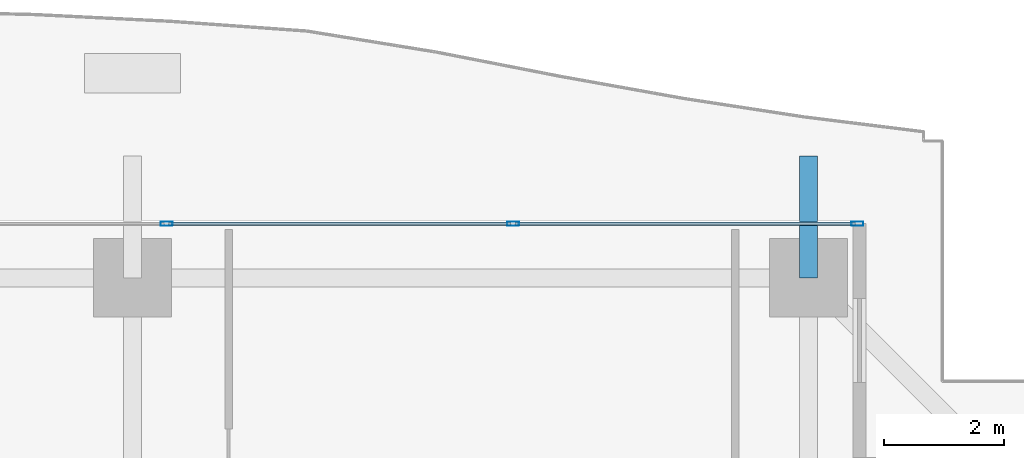
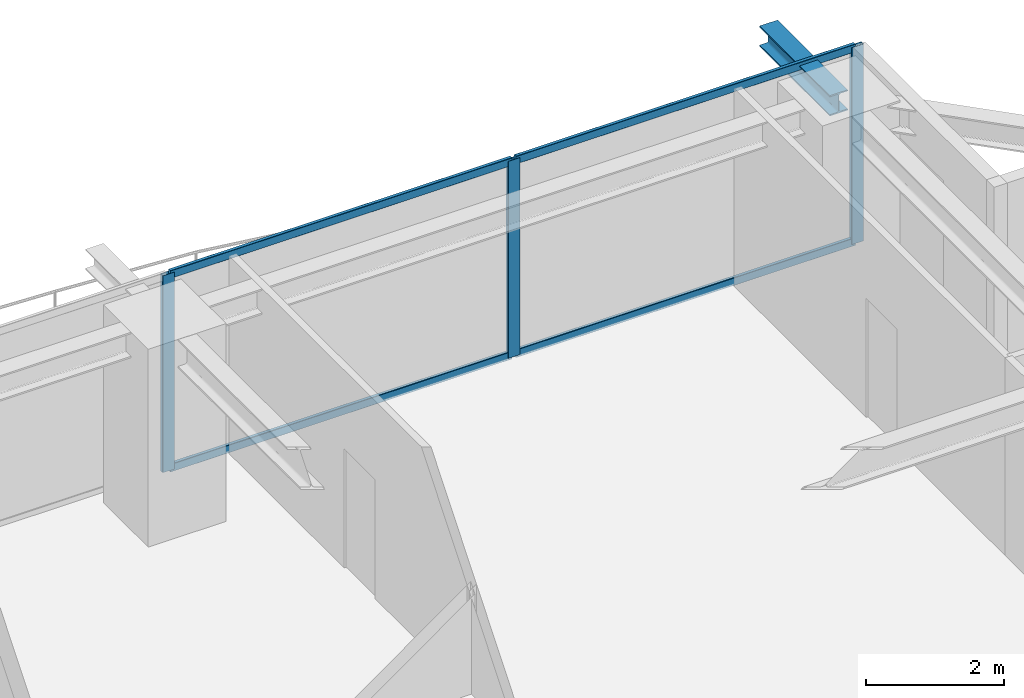
# One storey, part 24 of 37: 7 members, 1 beam, 1 element without a shape of its own.
"""IFC4 building model written with IfcOpenShell, lengths in metres."""

from ifc_helpers import new_model, si_unit, direction, frame, origin, origin_2d, place, context, subcontext, project, spatial, hollow_rectangle, i_section, extrude, source, transform, mapped, material, layer, layer_set, material_profile, profile_set, type_object, element, aggregate, save


model = new_model("IFC4")

# Units and contexts
model_context = context("Model", 3, precision=1e-05, world=origin(), true_north=direction((0.0, 1.0)))
body_context = subcontext(model_context, "Body", "Model", "MODEL_VIEW")
ifc_project = project(units=[si_unit("LENGTHUNIT", "METRE"), si_unit("AREAUNIT", "SQUARE_METRE"), si_unit("VOLUMEUNIT", "CUBIC_METRE"), si_unit("PLANEANGLEUNIT", "RADIAN"), si_unit("MASSUNIT", "GRAM", prefix="KILO")], contexts=[model_context])

# Site, building, storey
site_placement = place(None, origin())
site = spatial("IfcSite", under=ifc_project, at=site_placement, CompositionType="ELEMENT")
building_placement = place(site_placement, origin())
building = spatial("IfcBuilding", under=site, at=building_placement, Name="Serunith Strait Residences", CompositionType="ELEMENT")
storey_placement = place(building_placement, frame((0.0, 0.0, 127.64990234375)))
storey = spatial("IfcBuildingStorey", under=building, at=storey_placement, Name="L31", CompositionType="ELEMENT", Elevation=127.64990234375)

# Beam
ifc_material_1 = material(Name="Steel S355J2", Category="steel")
ifc_material_profile_1 = material_profile(ifc_material_1, i_section(OverallWidth=0.300048828125, OverallDepth=0.360107421875, WebThickness=0.012451171875, FlangeThickness=0.0224609375, FilletRadius=0.027099609375, at=origin_2d()), Name="HEB 360")
ifc_profile_set_1 = profile_set([ifc_material_profile_1], Name="Steel S355J2")
beam_type = type_object("IfcBeamType", Name="BM-HEB360", PredefinedType="BEAM", material=ifc_profile_set_1)
shared_shape_1 = source(origin(), body_context, "Body", "SweptSolid", [
    extrude(i_section(OverallWidth=0.300048828125, OverallDepth=0.360107421875, WebThickness=0.012451171875, FlangeThickness=0.0224609375, FilletRadius=0.027099609375, at=origin_2d()), origin(), (0.0, 0.0, 1.0), 2.02978515625),
])
beam_placement = place(storey_placement, frame((48.14990234375, 48.10009765625, 3.277099609375), z_axis=(0.0, 1.0, 0.0), x_axis=(-1.0, 0.0, 0.0)))
element("IfcBeam", 1, at=beam_placement, inside=storey, type_object=beam_type, Name="L32 Cantilevered Balcony Rib TC-N4", PredefinedType="BEAM", context=body_context, shape_type="MappedRepresentation", body=[
    mapped(shared_shape_1, transform((0.0, 0.0, 0.0), scale=1.0)),
])

# Curtain wall, members
ifc_material_2 = material(Name="Pale-Champagne Anodised Aluminium", Category="aluminium")
ifc_layer = layer(ifc_material_2, 0.199951171875, Name="Pale-Champagne Anodised Aluminium")
ifc_layer_set = layer_set([ifc_layer], Name="Pale-Champagne Anodised Aluminium")
curtain_wall_type = type_object("IfcCurtainWallType", Name="CW-SYS2", PredefinedType="NOTDEFINED", material=ifc_layer_set)
curtain_wall_placement = place(storey_placement, origin())
curtain_wall = element("IfcCurtainWall", 2, at=curtain_wall_placement, inside=storey, type_object=curtain_wall_type, Name="L31 N Unitised Fritted Curtain Wall", PredefinedType="NOTDEFINED")
ifc_material_profile_2 = material_profile(ifc_material_2, hollow_rectangle(XDim=0.070068359375, YDim=0.199951171875, WallThickness=0.00390625, InnerFilletRadius=0.006103515625, OuterFilletRadius=0.010009765625, at=origin_2d()), Name="ALU 200x70x4")
ifc_profile_set_2 = profile_set([ifc_material_profile_2], Name="Pale-Champagne Anodised Aluminium")
member_type_1 = type_object("IfcMemberType", Name="CW-SYS2-MULL", PredefinedType="MULLION", material=ifc_profile_set_2)
shared_shape_2 = source(origin(), body_context, "Body", "SweptSolid", [
    extrude(hollow_rectangle(XDim=0.070068359375, YDim=0.199951171875, WallThickness=0.00390625, InnerFilletRadius=0.006103515625, OuterFilletRadius=0.010009765625, at=origin_2d()), origin(), (0.0, 0.0, 1.0), 3.47509765625),
])
member_1_placement = place(storey_placement, frame((48.965087890625, 49.0, 0.0), z_axis=(0.0, 0.0, 1.0), x_axis=(0.0, -1.0, 0.0)))
member_1 = element("IfcMember", 3, at=member_1_placement, type_object=member_type_1, Name="CW-2 mullion 1", PredefinedType="MULLION", context=body_context, shape_type="MappedRepresentation", body=[
    mapped(shared_shape_2, transform((0.0, 0.0, 0.0), scale=1.0)),
])
member_2_placement = place(storey_placement, frame((43.2333984375, 49.0, 0.0), z_axis=(0.0, 0.0, 1.0), x_axis=(0.0, -1.0, 0.0)))
member_2 = element("IfcMember", 4, at=member_2_placement, type_object=member_type_1, Name="CW-2 mullion 2", PredefinedType="MULLION", context=body_context, shape_type="MappedRepresentation", body=[
    mapped(shared_shape_2, transform((0.0, 0.0, 0.0), scale=1.0)),
])
member_3_placement = place(storey_placement, frame((37.466552734375, 49.0, 0.0), z_axis=(0.0, 0.0, 1.0), x_axis=(0.0, -1.0, 0.0)))
member_3 = element("IfcMember", 5, at=member_3_placement, type_object=member_type_1, Name="CW-2 mullion 3", PredefinedType="MULLION", context=body_context, shape_type="MappedRepresentation", body=[
    mapped(shared_shape_2, transform((0.0, 0.0, 0.0), scale=1.0)),
])
ifc_material_profile_3 = material_profile(ifc_material_2, hollow_rectangle(XDim=0.06005859375, YDim=0.139892578125, WallThickness=0.00341796875, InnerFilletRadius=0.00537109375, OuterFilletRadius=0.0087890625, at=origin_2d()), Name="ALU 140x60x3.5")
ifc_profile_set_3 = profile_set([ifc_material_profile_3], Name="Pale-Champagne Anodised Aluminium")
member_type_2 = type_object("IfcMemberType", Name="CW-SYS2-TRAN", PredefinedType="USERDEFINED", material=ifc_profile_set_3)
shared_shape_3 = source(origin(), body_context, "Body", "SweptSolid", [
    extrude(hollow_rectangle(XDim=0.06005859375, YDim=0.139892578125, WallThickness=0.00341796875, InnerFilletRadius=0.00537109375, OuterFilletRadius=0.0087890625, at=origin_2d()), origin(), (0.0, 0.0, 1.0), 5.66162109375),
])
member_4_placement = place(storey_placement, frame((48.929931640625, 49.0, 0.030029296875), z_axis=(-1.0, 0.0, 0.0), x_axis=(0.0, -1.0, 0.0)))
member_4 = element("IfcMember", 6, at=member_4_placement, type_object=member_type_2, Name="CW-2 transom 1.1", ObjectType="TRANSOM", PredefinedType="USERDEFINED", context=body_context, shape_type="MappedRepresentation", body=[
    mapped(shared_shape_3, transform((0.0, 0.0, 0.0), scale=1.0)),
])
member_5_placement = place(storey_placement, frame((48.929931640625, 49.0, 3.445068359375), z_axis=(-1.0, 0.0, 0.0), x_axis=(0.0, -1.0, 0.0)))
member_5 = element("IfcMember", 7, at=member_5_placement, type_object=member_type_2, Name="CW-2 transom 1.2", ObjectType="TRANSOM", PredefinedType="USERDEFINED", context=body_context, shape_type="MappedRepresentation", body=[
    mapped(shared_shape_3, transform((0.0, 0.0, 0.0), scale=1.0)),
])
shared_shape_4 = source(origin(), body_context, "Body", "SweptSolid", [
    extrude(hollow_rectangle(XDim=0.06005859375, YDim=0.139892578125, WallThickness=0.00341796875, InnerFilletRadius=0.00537109375, OuterFilletRadius=0.0087890625, at=origin_2d()), origin(), (0.0, 0.0, 1.0), 5.696533203125),
])
member_6_placement = place(storey_placement, frame((43.1982421875, 49.0, 0.030029296875), z_axis=(-1.0, 0.0, 0.0), x_axis=(0.0, -1.0, 0.0)))
member_6 = element("IfcMember", 8, at=member_6_placement, type_object=member_type_2, Name="CW-2 transom 2.1", ObjectType="TRANSOM", PredefinedType="USERDEFINED", context=body_context, shape_type="MappedRepresentation", body=[
    mapped(shared_shape_4, transform((0.0, 0.0, 0.0), scale=1.0)),
])
member_7_placement = place(storey_placement, frame((43.1982421875, 49.0, 3.445068359375), z_axis=(-1.0, 0.0, 0.0), x_axis=(0.0, -1.0, 0.0)))
member_7 = element("IfcMember", 9, at=member_7_placement, type_object=member_type_2, Name="CW-2 transom 2.2", ObjectType="TRANSOM", PredefinedType="USERDEFINED", context=body_context, shape_type="MappedRepresentation", body=[
    mapped(shared_shape_4, transform((0.0, 0.0, 0.0), scale=1.0)),
])
aggregate(curtain_wall, [member_1, member_2, member_3, member_4, member_5, member_6, member_7])

save(model, "model.ifc")
